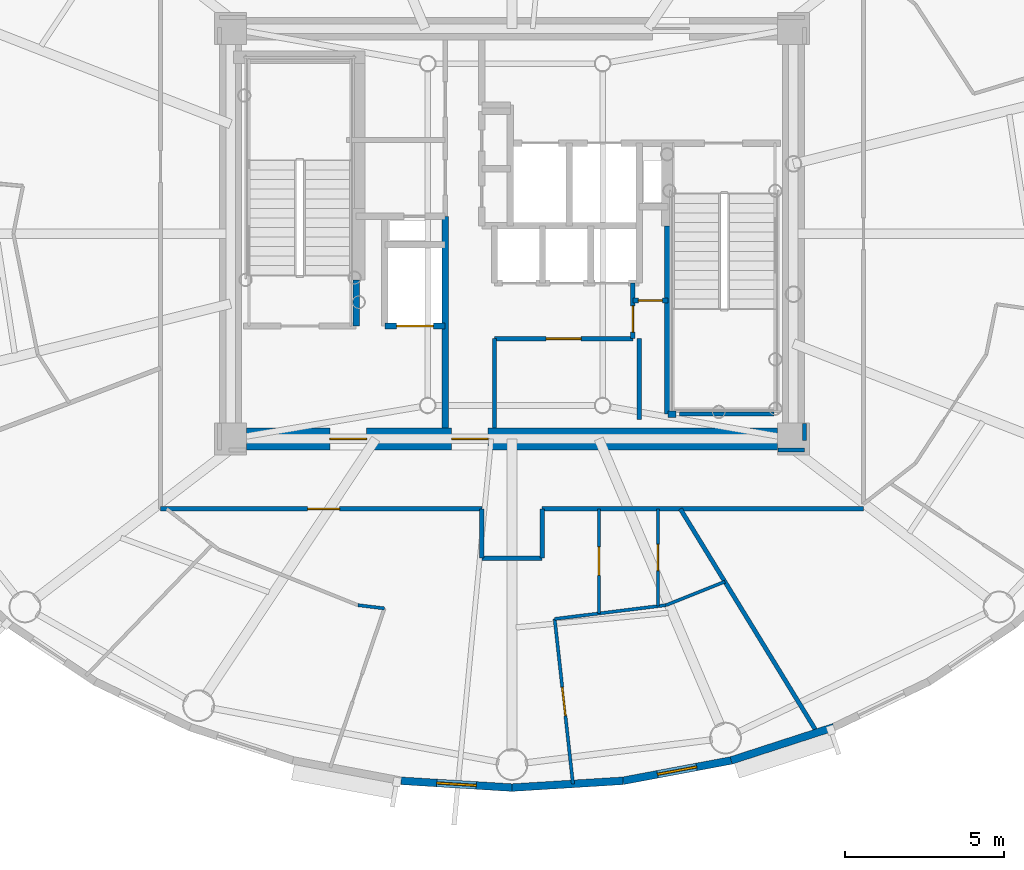
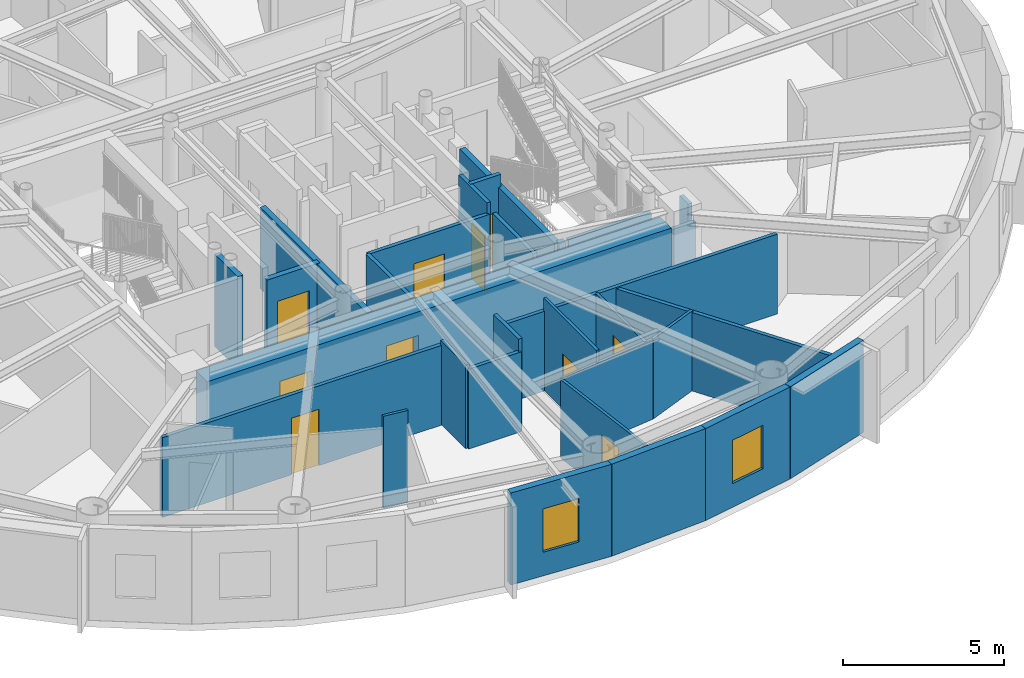
# One storey, part 6 of 17: 30 walls, 10 doors, 2 windows, 12 openings.
"""IFC4 building model written with IfcOpenShell, lengths in metres."""

import ifcopenshell
import ifcopenshell.guid

model = None  # the IFC model being written
_history = None  # IfcOwnerHistory: only IFC2X3 demands one
_inside = {}  # id of a spatial element -> (the spatial element, [elements in it])
_under = {}  # id of a project, library or spatial element -> (it, [spatial elements below it])
_declared = {}  # id of a project -> (the project, [libraries it declares])
_typed = {}  # id of a type object -> (the type object, [elements of that type])
_made_of = {}  # id of a material, layer set ... -> (it, [elements and type objects made of it])


def new_model(schema):
    """Start an empty IFC model of exactly this schema.

    Asked for "IFC4X3", IfcOpenShell would pick the latest addendum, in which some entities
    have other attributes; the version numbers below select the first issue.
    IFC2X3 requires an IfcOwnerHistory on every rooted entity: one is made here for all.
    """
    global model, _history
    if schema == "IFC4X3":
        model = ifcopenshell.file(schema_version=(4, 3, 0, 0))
    else:
        model = ifcopenshell.file(schema=schema)
    _inside.clear()
    _under.clear()
    _declared.clear()
    _typed.clear()
    _made_of.clear()
    _history = None
    if model.schema == "IFC2X3":
        org = make("IfcOrganization", Name="unknown")
        user = make(
            "IfcPersonAndOrganization",
            ThePerson=make("IfcPerson", FamilyName="unknown"),
            TheOrganization=org,
        )
        app = make(
            "IfcApplication",
            ApplicationDeveloper=org,
            Version="unknown",
            ApplicationFullName="unknown",
            ApplicationIdentifier="unknown",
        )
        _history = make(
            "IfcOwnerHistory",
            OwningUser=user,
            OwningApplication=app,
            ChangeAction="ADDED",
            CreationDate=0,
        )
    return model


def make(cls, **values):
    """One entity of the class cls with the attributes given. An attribute that is None is left unset."""
    return model.create_entity(
        cls, **{name: value for name, value in values.items() if value is not None}
    )


def rooted(cls, **values):
    """An entity with a GlobalId (a new one), such as an element, a storey or a relation."""
    return make(cls, GlobalId=ifcopenshell.guid.new(), OwnerHistory=_history, **values)


def si_unit(unit_type, name, prefix=None):
    """IfcSIUnit, for example si_unit("LENGTHUNIT", "METRE", prefix="MILLI")."""
    return make("IfcSIUnit", UnitType=unit_type, Prefix=prefix, Name=name)


def assignment(units):
    """IfcUnitAssignment: the units of a project."""
    return None if units is None else make("IfcUnitAssignment", Units=units)


def point(xyz):
    """IfcCartesianPoint."""
    return None if xyz is None else make("IfcCartesianPoint", Coordinates=xyz)


def direction(xyz):
    """IfcDirection."""
    return None if xyz is None else make("IfcDirection", DirectionRatios=xyz)


def frame(location, z_axis=None, x_axis=None):
    """IfcAxis2Placement3D, a coordinate frame: its origin and axes. An axis left out is left unset."""
    return make(
        "IfcAxis2Placement3D",
        Location=point(location),
        Axis=direction(z_axis),
        RefDirection=direction(x_axis),
    )


def frame_2d(location, x_axis=None):
    """IfcAxis2Placement2D, a coordinate frame in the plane: its origin and x axis."""
    return make(
        "IfcAxis2Placement2D", Location=point(location), RefDirection=direction(x_axis)
    )


def origin():
    """The frame at (0, 0, 0) with its axes left unset."""
    return frame((0.0, 0.0, 0.0))


def origin_2d():
    """The frame at (0, 0) in the plane with its x axis left unset."""
    return frame_2d((0.0, 0.0))


def place(relative_to, where):
    """IfcLocalPlacement: puts the frame where relative to a parent placement (None: the world)."""
    return make(
        "IfcLocalPlacement", PlacementRelTo=relative_to, RelativePlacement=where
    )


def context(
    kind, dimensions, precision=None, world=None, true_north=None, identifier=None
):
    """IfcGeometricRepresentationContext, for example the 3D "Model" context."""
    return make(
        "IfcGeometricRepresentationContext",
        ContextIdentifier=identifier,
        ContextType=kind,
        CoordinateSpaceDimension=dimensions,
        Precision=precision,
        WorldCoordinateSystem=world,
        TrueNorth=true_north,
    )


def subcontext(parent, identifier, kind, view, scale=None):
    """IfcGeometricRepresentationSubContext, for example "Body" below "Model"."""
    return make(
        "IfcGeometricRepresentationSubContext",
        ContextIdentifier=identifier,
        ContextType=kind,
        ParentContext=parent,
        TargetScale=scale,
        TargetView=view,
    )


def project(units=None, contexts=None):
    """IfcProject with its units and contexts."""
    return rooted(
        "IfcProject",
        Name="project",
        RepresentationContexts=contexts,
        UnitsInContext=assignment(units),
    )


def spatial(cls, under=None, at=None, **own):
    """A site, building, storey or space (cls), placed at a placement, below another one or the project."""
    s = rooted(cls, ObjectPlacement=at, **own)
    if under is not None:
        _under.setdefault(under.id(), (under, []))[1].append(s)
    return s


def profile(cls, at=None, kind="AREA", **sizes):
    """A parametric profile (cls). Its sizes go by their IFC names, for example OverallWidth=200.0."""
    return make(cls, ProfileType=kind, Position=at, **sizes)


def rectangle(**sizes):
    """IfcRectangleProfileDef."""
    return profile("IfcRectangleProfileDef", **sizes)


def extrude(swept, where, along, depth):
    """IfcExtrudedAreaSolid: the profile swept, set in the frame where, extruded along a direction by depth."""
    return make(
        "IfcExtrudedAreaSolid",
        SweptArea=swept,
        Position=where,
        ExtrudedDirection=direction(along),
        Depth=depth,
    )


def shape(context_of_items, identifier, shape_type, items):
    """IfcShapeRepresentation: the items that make up one representation, for example the "Body"."""
    return make(
        "IfcShapeRepresentation",
        ContextOfItems=context_of_items,
        RepresentationIdentifier=identifier,
        RepresentationType=shape_type,
        Items=items,
    )


def source(mapping_origin, context_of_items, identifier, shape_type, items):
    """IfcRepresentationMap: a shape defined once, which mapped items show again and again."""
    return make(
        "IfcRepresentationMap",
        MappingOrigin=mapping_origin,
        MappedRepresentation=shape(context_of_items, identifier, shape_type, items),
    )


def transform(
    local_origin,
    x_axis=None,
    y_axis=None,
    z_axis=None,
    scale=None,
    scale2=None,
    scale3=None,
    uniform=True,
):
    """IfcCartesianTransformationOperator3D, or its non-uniform kind. x_axis, y_axis, z_axis: its Axis1, 2, 3."""
    if uniform:
        return make(
            "IfcCartesianTransformationOperator3D",
            Axis1=direction(x_axis),
            Axis2=direction(y_axis),
            LocalOrigin=point(local_origin),
            Scale=scale,
            Axis3=direction(z_axis),
        )
    return make(
        "IfcCartesianTransformationOperator3DnonUniform",
        Axis1=direction(x_axis),
        Axis2=direction(y_axis),
        LocalOrigin=point(local_origin),
        Scale=scale,
        Axis3=direction(z_axis),
        Scale2=scale2,
        Scale3=scale3,
    )


def mapped(mapping_source, mapping_target):
    """IfcMappedItem: shows the shape of a source again, moved by a transform."""
    return make(
        "IfcMappedItem", MappingSource=mapping_source, MappingTarget=mapping_target
    )


def material(Name=None, Category=None):
    """IfcMaterial."""
    return make("IfcMaterial", Name=Name, Category=Category)


def layer(
    of_material, thickness, ventilated=None, Name=None, Category=None, Priority=None
):
    """IfcMaterialLayer: one layer of a wall or slab, of a material (None: an air gap)."""
    return make(
        "IfcMaterialLayer",
        Material=of_material,
        LayerThickness=thickness,
        IsVentilated=ventilated,
        Name=Name,
        Category=Category,
        Priority=Priority,
    )


def layer_set(layers, Name=None):
    """IfcMaterialLayerSet."""
    return make("IfcMaterialLayerSet", MaterialLayers=layers, LayerSetName=Name)


def made_of(thing, what):
    """Note that an element or type object is made of a material, layer set ...; save() writes the relation."""
    if what is not None:
        _made_of.setdefault(what.id(), (what, []))[1].append(thing)
    return thing


def type_object(cls, material=None, **own):
    """A type object (cls), such as IfcWallType, which elements share."""
    return made_of(rooted(cls, **own), material)


def element(
    cls,
    number,
    at=None,
    inside=None,
    cuts=None,
    type_object=None,
    material=None,
    context=None,
    identifier="Body",
    shape_type=None,
    held_by="IfcProductDefinitionShape",
    body=None,
    shapes=None,
    **own,
):
    """One element of the class cls, such as IfcWall. Its Tag is "e" and its number.

    at: its placement. inside: the storey or other place that contains it. cuts: it is an
    opening in that element (IfcRelVoidsElement). A single representation is given by context,
    identifier, shape_type and body (its items); several are given by shapes. held_by: the class
    of the entity that holds the representations. save() writes the other relations.
    """
    e = rooted(cls, Tag="e%d" % number, ObjectPlacement=at, **own)
    if body is not None:
        shapes = [shape(context, identifier, shape_type, body)]
    if shapes is not None:
        e.Representation = make(held_by, Representations=shapes)
    if inside is not None:
        _inside.setdefault(inside.id(), (inside, []))[1].append(e)
    if cuts is not None:
        rooted(
            "IfcRelVoidsElement", RelatingBuildingElement=cuts, RelatedOpeningElement=e
        )
    if type_object is not None:
        _typed.setdefault(type_object.id(), (type_object, []))[1].append(e)
    return made_of(e, material)


def fill(opening, filler):
    """IfcRelFillsElement: the door or window that sits in an opening."""
    return rooted(
        "IfcRelFillsElement",
        RelatingOpeningElement=opening,
        RelatedBuildingElement=filler,
    )


def aggregate(whole, parts):
    """IfcRelAggregates: a whole, such as a stair, and the parts it consists of."""
    return rooted("IfcRelAggregates", RelatingObject=whole, RelatedObjects=parts)


def save(model, path):
    """Write the relations noted so far, then the file.

    IfcRelAggregates (storeys below a building ...), IfcRelContainedInSpatialStructure (elements
    in a storey), IfcRelDefinesByType, IfcRelAssociatesMaterial and IfcRelDeclares: one each for
    every whole, place, type object, material and project.
    """
    for whole, parts in _under.values():
        aggregate(whole, parts)
    for where, things in _inside.values():
        rooted(
            "IfcRelContainedInSpatialStructure",
            RelatedElements=things,
            RelatingStructure=where,
        )
    for kind, things in _typed.values():
        rooted("IfcRelDefinesByType", RelatedObjects=things, RelatingType=kind)
    for what, things in _made_of.values():
        rooted("IfcRelAssociatesMaterial", RelatedObjects=things, RelatingMaterial=what)
    for by, libraries in _declared.values():
        rooted("IfcRelDeclares", RelatingContext=by, RelatedDefinitions=libraries)
    model.write(path)


model = new_model("IFC4")

# Units and contexts
model_context = context("Model", 3, precision=1e-05, world=origin(), true_north=direction((0.0, 1.0)))
body_context = subcontext(model_context, "Body", "Model", "MODEL_VIEW")
ifc_project = project(units=[si_unit("LENGTHUNIT", "METRE"), si_unit("AREAUNIT", "SQUARE_METRE"), si_unit("VOLUMEUNIT", "CUBIC_METRE"), si_unit("PLANEANGLEUNIT", "RADIAN"), si_unit("MASSUNIT", "GRAM", prefix="KILO")], contexts=[model_context])

# Site, building, storey
site_placement = place(None, origin())
site = spatial("IfcSite", under=ifc_project, at=site_placement, CompositionType="ELEMENT")
building_placement = place(site_placement, origin())
building = spatial("IfcBuilding", under=site, at=building_placement, Name="Linh Dai School and Residence Tower", CompositionType="ELEMENT")
storey_placement = place(building_placement, frame((0.0, 0.0, 284.25)))
storey = spatial("IfcBuildingStorey", under=building, at=storey_placement, Name="L70", CompositionType="ELEMENT", Elevation=284.25)

# Wall, opening, window
ifc_material_1 = material(Name="Precast Concrete B45 (C35/45)", Category="concrete")
ifc_layer_1 = layer(ifc_material_1, 0.239990234375)
ifc_layer_set_1 = layer_set([ifc_layer_1], Name="Precast Concrete B45 (C35/45)")
wall_type_1 = type_object("IfcWallType", Name="EW-TC-240", PredefinedType="SOLIDWALL", material=ifc_layer_set_1)
wall_1_placement = place(storey_placement, frame((36.0, 9.5849609375, 0.0), z_axis=(0.0, 0.0, 1.0), x_axis=(-0.998104946479, 0.061534671648, 0.0)))
wall_1 = element("IfcWall", 1, at=wall_1_placement, inside=storey, type_object=wall_type_1, Name="L70 Terracotta Exterior Wall 30", PredefinedType="SOLIDWALL", context=body_context, shape_type="SweptSolid", body=[
    extrude(rectangle(XDim=3.495361328125, YDim=0.239990234375, at=frame_2d((1.74755859375, 0.0))), origin(), (0.0, 0.0, 1.0), 3.5),
])
opening_1_placement = place(wall_1_placement, frame((1.122802734375, 0.0, 0.89990234375)))
opening_1 = element("IfcOpeningElement", 2, at=opening_1_placement, cuts=wall_1, Name="Opening W3", PredefinedType="OPENING", context=body_context, shape_type="SweptSolid", body=[
    extrude(rectangle(XDim=1.25, YDim=1.64990234375, at=origin_2d()), frame((0.625, 0.1298828125, 0.824951171875), z_axis=(0.0, -1.0, 0.0), x_axis=(1.0, 0.0, 0.0)), (0.0, 0.0, 1.0), 0.260009765625),
])
ifc_material_2 = material(Name="Double Low-E Insulated Glazing", Category="glass")
window_type = type_object("IfcWindowType", Name="WN-RES-1250x1650", PartitioningType="SINGLE_PANEL", PredefinedType="WINDOW", material=ifc_material_2)
shared_shape_1 = source(origin(), body_context, "Body", "SweptSolid", [
    extrude(rectangle(XDim=1.25, YDim=1.64990234375, at=origin_2d()), frame((0.625, 0.030029296875, 0.824951171875), z_axis=(0.0, -1.0, 0.0), x_axis=(1.0, 0.0, 0.0)), (0.0, 0.0, 1.0), 0.06005859375),
])
window_1_placement = place(opening_1_placement, origin())
window_1 = element("IfcWindow", 3, at=window_1_placement, inside=storey, type_object=window_type, Name="L70 Dwelling Window U7003-LIV", OverallHeight=1.64990234375, OverallWidth=1.25, PartitioningType="SINGLE_PANEL", PredefinedType="WINDOW", context=body_context, shape_type="MappedRepresentation", body=[
    mapped(shared_shape_1, transform((0.0, 0.0, 0.0), x_axis=(1.0, 0.0, 0.0), y_axis=(0.0, 1.0, 0.0), z_axis=(0.0, 0.0, 1.0), scale=1.0)),
])
fill(opening_1, window_1)

# Wall
wall_2_placement = place(storey_placement, frame((39.48876953125, 9.800048828125, 0.0), z_axis=(0.0, 0.0, 1.0), x_axis=(-0.998104946479, -0.061534671648, 0.0)))
element("IfcWall", 4, at=wall_2_placement, inside=storey, type_object=wall_type_1, Name="L70 Terracotta Exterior Wall 31", PredefinedType="SOLIDWALL", context=body_context, shape_type="SweptSolid", body=[
    extrude(rectangle(XDim=3.495361328125, YDim=0.239990234375, at=frame_2d((1.74755859375, 0.0))), origin(), (0.0, 0.0, 1.0), 3.5),
])

# Wall, opening, window
wall_3_placement = place(storey_placement, frame((42.89111328125, 10.439697265625, 0.0), z_axis=(0.0, 0.0, 1.0), x_axis=(-0.982782655757, -0.184765395959, 0.0)))
wall_3 = element("IfcWall", 5, at=wall_3_placement, inside=storey, type_object=wall_type_1, Name="L70 Terracotta Exterior Wall 32", PredefinedType="SOLIDWALL", context=body_context, shape_type="SweptSolid", body=[
    extrude(rectangle(XDim=3.4619140625, YDim=0.239990234375, at=frame_2d((1.73095703125, 0.0))), origin(), (0.0, 0.0, 1.0), 3.5),
])
opening_2_placement = place(wall_3_placement, frame((1.10595703125, 0.0, 0.89990234375)))
opening_2 = element("IfcOpeningElement", 6, at=opening_2_placement, cuts=wall_3, Name="Opening W3", PredefinedType="OPENING", context=body_context, shape_type="SweptSolid", body=[
    extrude(rectangle(XDim=1.25, YDim=1.64990234375, at=origin_2d()), frame((0.625, 0.1298828125, 0.824951171875), z_axis=(0.0, -1.0, 0.0), x_axis=(1.0, 0.0, 0.0)), (0.0, 0.0, 1.0), 0.260009765625),
])
window_2_placement = place(opening_2_placement, origin())
window_2 = element("IfcWindow", 7, at=window_2_placement, inside=storey, type_object=window_type, Name="L70 Dwelling Window U7003-BD3", OverallHeight=1.64990234375, OverallWidth=1.25, PartitioningType="SINGLE_PANEL", PredefinedType="WINDOW", context=body_context, shape_type="MappedRepresentation", body=[
    mapped(shared_shape_1, transform((0.0, 0.0, 0.0), x_axis=(1.0, 0.0, 0.0), y_axis=(0.0, 1.0, 0.0), z_axis=(0.0, 0.0, 1.0), scale=1.0)),
])
fill(opening_2, window_2)

# Wall
wall_4_placement = place(storey_placement, frame((46.123046875, 11.48779296875, 0.0), z_axis=(0.0, 0.0, 1.0), x_axis=(-0.95123136723, -0.308478339592, 0.0)))
element("IfcWall", 8, at=wall_4_placement, inside=storey, type_object=wall_type_1, Name="L70 Terracotta Exterior Wall 33", PredefinedType="SOLIDWALL", context=body_context, shape_type="SweptSolid", body=[
    extrude(rectangle(XDim=3.397705078125, YDim=0.239990234375, at=frame_2d((1.69873046875, 0.0))), origin(), (0.0, 0.0, 1.0), 3.5),
])

# Wall, opening, door
ifc_material_3 = material(Name="Autoclaved Aerated Concrete Blockwork", Category="masonry")
ifc_layer_2 = layer(ifc_material_3, 0.135009765625)
ifc_layer_set_2 = layer_set([ifc_layer_2], Name="Autoclaved Aerated Concrete Blockwork")
wall_type_2 = type_object("IfcWallType", Name="IW-CORR-135-EI90", PredefinedType="PARTITIONING", material=ifc_layer_set_2)
wall_5_placement = place(storey_placement, frame((24.949951171875, 18.35009765625, 0.0), z_axis=(0.0, 0.0, 1.0), x_axis=(1.0, 0.0, 0.0)))
wall_5 = element("IfcWall", 9, at=wall_5_placement, inside=storey, type_object=wall_type_2, Name="L70 Interior Partition Wall 012", PredefinedType="PARTITIONING", context=body_context, shape_type="SweptSolid", body=[
    extrude(rectangle(XDim=10.10009765625, YDim=0.135009765625, at=frame_2d((5.050048828125, 0.0))), origin(), (0.0, 0.0, 1.0), 3.034912109375),
])
opening_3_placement = place(wall_5_placement, frame((4.62744140625, 0.0, 0.0)))
opening_3 = element("IfcOpeningElement", 10, at=opening_3_placement, cuts=wall_5, Name="Opening D03", PredefinedType="OPENING", context=body_context, shape_type="SweptSolid", body=[
    extrude(rectangle(XDim=1.0, YDim=2.14990234375, at=origin_2d()), frame((0.5, 0.07763671875, 1.074951171875), z_axis=(0.0, -1.0, 0.0), x_axis=(1.0, 0.0, 0.0)), (0.0, 0.0, 1.0), 0.155029296875),
])
ifc_material_4 = material(Name="Fire-Rated Solid Timber Entrance Door", Category="wood")
door_type_1 = type_object("IfcDoorType", Name="DR-FLAT-1000x2150-FD60S", OperationType="NOTDEFINED", PredefinedType="DOOR", material=ifc_material_4)
shared_shape_2 = source(origin(), body_context, "Body", "SweptSolid", [
    extrude(rectangle(XDim=1.0, YDim=2.14990234375, at=origin_2d()), frame((0.5, 0.02490234375, 1.074951171875), z_axis=(0.0, -1.0, 0.0), x_axis=(1.0, 0.0, 0.0)), (0.0, 0.0, 1.0), 0.050048828125),
])
door_1_placement = place(opening_3_placement, origin())
door_1 = element("IfcDoor", 11, at=door_1_placement, inside=storey, type_object=door_type_1, Name="L70 U7003 Apartment Entrance Door", OperationType="SINGLE_SWING_RIGHT", OverallHeight=2.14990234375, OverallWidth=1.0, PredefinedType="DOOR", context=body_context, shape_type="MappedRepresentation", body=[
    mapped(shared_shape_2, transform((0.0, 0.0, 0.0), x_axis=(1.0, 0.0, 0.0), y_axis=(0.0, 1.0, 0.0), z_axis=(0.0, 0.0, 1.0), scale=1.0)),
])
fill(opening_3, door_1)

# Walls
wall_6_placement = place(storey_placement, frame((35.050048828125, 16.800048828125, 0.0), z_axis=(0.0, 0.0, 1.0), x_axis=(0.0, 1.0, 0.0)))
element("IfcWall", 12, at=wall_6_placement, inside=storey, type_object=wall_type_2, Name="L70 Interior Partition Wall 033", PredefinedType="PARTITIONING", context=body_context, shape_type="SweptSolid", body=[
    extrude(rectangle(XDim=1.550048828125, YDim=0.135009765625, at=frame_2d((0.77490234375, 0.0))), origin(), (0.0, 0.0, 1.0), 3.18505859375),
])
wall_7_placement = place(storey_placement, frame((35.050048828125, 16.800048828125, 0.0), z_axis=(0.0, 0.0, 1.0), x_axis=(1.0, 0.0, 0.0)))
element("IfcWall", 13, at=wall_7_placement, inside=storey, type_object=wall_type_2, Name="L70 Interior Partition Wall 034", PredefinedType="PARTITIONING", context=body_context, shape_type="SweptSolid", body=[
    extrude(rectangle(XDim=1.89990234375, YDim=0.135009765625, at=frame_2d((0.949951171875, 0.0))), origin(), (0.0, 0.0, 1.0), 3.034912109375),
])
wall_8_placement = place(storey_placement, frame((35.449951171875, 20.89990234375, 0.0), z_axis=(0.0, 0.0, 1.0), x_axis=(0.0, 1.0, 0.0)))
element("IfcWall", 14, at=wall_8_placement, inside=storey, type_object=wall_type_2, Name="L70 Interior Partition Wall 043", PredefinedType="PARTITIONING", context=body_context, shape_type="SweptSolid", body=[
    extrude(rectangle(XDim=2.800048828125, YDim=0.135009765625, at=frame_2d((1.39990234375, 0.0))), origin(), (0.0, 0.0, 1.0), 3.0849609375),
])

# Wall, opening, door
wall_9_placement = place(storey_placement, frame((35.449951171875, 23.699951171875, 0.0), z_axis=(0.0, 0.0, 1.0), x_axis=(1.0, 0.0, 0.0)))
wall_9 = element("IfcWall", 15, at=wall_9_placement, inside=storey, type_object=wall_type_2, Name="L70 Interior Partition Wall 044", PredefinedType="PARTITIONING", context=body_context, shape_type="SweptSolid", body=[
    extrude(rectangle(XDim=4.35009765625, YDim=0.135009765625, at=frame_2d((2.175048828125, 0.0))), origin(), (0.0, 0.0, 1.0), 3.0849609375),
])
opening_4_placement = place(wall_9_placement, frame((1.625, 0.0, 0.0)))
opening_4 = element("IfcOpeningElement", 16, at=opening_4_placement, cuts=wall_9, Name="Opening D07", PredefinedType="OPENING", context=body_context, shape_type="SweptSolid", body=[
    extrude(rectangle(XDim=1.10009765625, YDim=2.14990234375, at=origin_2d()), frame((0.550048828125, 0.07763671875, 1.074951171875), z_axis=(0.0, -1.0, 0.0), x_axis=(1.0, 0.0, 0.0)), (0.0, 0.0, 1.0), 0.155029296875),
])
ifc_material_5 = material(Name="Fire-Rated Louvred Steel Plant Door", Category="steel")
door_type_2 = type_object("IfcDoorType", Name="DR-PLT-1100x2150-FD60S", OperationType="NOTDEFINED", PredefinedType="DOOR", material=ifc_material_5)
shared_shape_3 = source(origin(), body_context, "Body", "SweptSolid", [
    extrude(rectangle(XDim=1.10009765625, YDim=2.14990234375, at=origin_2d()), frame((0.550048828125, 0.02490234375, 1.074951171875), z_axis=(0.0, -1.0, 0.0), x_axis=(1.0, 0.0, 0.0)), (0.0, 0.0, 1.0), 0.050048828125),
])
door_2_placement = place(opening_4_placement, origin())
door_2 = element("IfcDoor", 17, at=door_2_placement, inside=storey, type_object=door_type_2, Name="L70 Tenant Metering and BMS Room Door", OperationType="SINGLE_SWING_RIGHT", OverallHeight=2.14990234375, OverallWidth=1.10009765625, PredefinedType="DOOR", context=body_context, shape_type="MappedRepresentation", body=[
    mapped(shared_shape_3, transform((0.0, 0.0, 0.0), x_axis=(1.0, 0.0, 0.0), y_axis=(0.0, 1.0, 0.0), z_axis=(0.0, 0.0, 1.0), scale=1.0)),
])
fill(opening_4, door_2)

# Walls
wall_10_placement = place(storey_placement, frame((36.949951171875, 16.800048828125, 0.0), z_axis=(0.0, 0.0, 1.0), x_axis=(0.0, 1.0, 0.0)))
element("IfcWall", 18, at=wall_10_placement, inside=storey, type_object=wall_type_2, Name="L70 Interior Partition Wall 049", PredefinedType="PARTITIONING", context=body_context, shape_type="SweptSolid", body=[
    extrude(rectangle(XDim=1.550048828125, YDim=0.135009765625, at=frame_2d((0.77490234375, 0.0))), origin(), (0.0, 0.0, 1.0), 3.5),
])
wall_11_placement = place(storey_placement, frame((36.949951171875, 18.35009765625, 0.0), z_axis=(0.0, 0.0, 1.0), x_axis=(1.0, 0.0, 0.0)))
element("IfcWall", 19, at=wall_11_placement, inside=storey, type_object=wall_type_2, Name="L70 Interior Partition Wall 050", PredefinedType="PARTITIONING", context=body_context, shape_type="SweptSolid", body=[
    extrude(rectangle(XDim=10.10009765625, YDim=0.135009765625, at=frame_2d((5.050048828125, 0.0))), origin(), (0.0, 0.0, 1.0), 3.034912109375),
])

# Wall, opening, door
wall_12_placement = place(storey_placement, frame((39.800048828125, 23.699951171875, 0.0), z_axis=(0.0, 0.0, 1.0), x_axis=(0.0, 1.0, 0.0)))
wall_12 = element("IfcWall", 20, at=wall_12_placement, inside=storey, type_object=wall_type_2, Name="L70 Interior Partition Wall 059", PredefinedType="PARTITIONING", context=body_context, shape_type="SweptSolid", body=[
    extrude(rectangle(XDim=1.75, YDim=0.135009765625, at=frame_2d((0.875, 0.0))), origin(), (0.0, 0.0, 1.0), 3.5),
])
opening_5_placement = place(wall_12_placement, frame((0.2099609375, 0.0, 0.0)))
opening_5 = element("IfcOpeningElement", 21, at=opening_5_placement, cuts=wall_12, Name="Opening D06", PredefinedType="OPENING", context=body_context, shape_type="SweptSolid", body=[
    extrude(rectangle(XDim=0.820068359375, YDim=2.10009765625, at=origin_2d()), frame((0.41015625, 0.07763671875, 1.050048828125), z_axis=(0.0, -1.0, 0.0), x_axis=(1.0, 0.0, 0.0)), (0.0, 0.0, 1.0), 0.155029296875),
])
ifc_material_6 = material(Name="Moisture-Resistant Timber Bathroom Door", Category="wood")
door_type_3 = type_object("IfcDoorType", Name="DR-WET-820x2100", OperationType="NOTDEFINED", PredefinedType="DOOR", material=ifc_material_6)
shared_shape_4 = source(origin(), body_context, "Body", "SweptSolid", [
    extrude(rectangle(XDim=0.820068359375, YDim=2.10009765625, at=origin_2d()), frame((0.41015625, 0.02490234375, 1.050048828125), z_axis=(0.0, -1.0, 0.0), x_axis=(1.0, 0.0, 0.0)), (0.0, 0.0, 1.0), 0.050048828125),
])
door_3_placement = place(opening_5_placement, origin())
door_3 = element("IfcDoor", 22, at=door_3_placement, inside=storey, type_object=door_type_3, Name="L70 SE Metering Closet Door", OperationType="SINGLE_SWING_LEFT", OverallHeight=2.10009765625, OverallWidth=0.820068359375, PredefinedType="DOOR", context=body_context, shape_type="MappedRepresentation", body=[
    mapped(shared_shape_4, transform((0.0, 0.0, 0.0), x_axis=(1.0, 0.0, 0.0), y_axis=(0.0, 1.0, 0.0), z_axis=(0.0, 0.0, 1.0), scale=1.0)),
])
fill(opening_5, door_3)

# Walls
wall_13_placement = place(storey_placement, frame((41.292236328125, 18.35009765625, 0.0), z_axis=(0.0, 0.0, 1.0), x_axis=(0.521891606098, -0.853011812043, 0.0)))
element("IfcWall", 23, at=wall_13_placement, inside=storey, type_object=wall_type_2, Name="L70 Interior Partition Wall 070", PredefinedType="PARTITIONING", context=body_context, shape_type="SweptSolid", body=[
    extrude(rectangle(XDim=8.25048828125, YDim=0.135009765625, at=frame_2d((4.125244140625, 0.0))), origin(), (0.0, 0.0, 1.0), 2.985107421875),
])
wall_14_placement = place(storey_placement, frame((44.239990234375, 21.330078125, 0.0), z_axis=(0.0, 0.0, 1.0), x_axis=(-1.0, 0.0, 0.0)))
element("IfcWall", 24, at=wall_14_placement, inside=storey, type_object=wall_type_2, Name="L70 Interior Partition Wall 084", PredefinedType="PARTITIONING", context=body_context, shape_type="SweptSolid", body=[
    extrude(rectangle(XDim=2.97998046875, YDim=0.135009765625, at=frame_2d((1.489990234375, 0.0))), origin(), (0.0, 0.0, 1.0), 3.034912109375),
])
wall_15_placement = place(storey_placement, frame((40.0, 23.699951171875, 0.0), z_axis=(0.0, 0.0, 1.0), x_axis=(0.0, -1.0, 0.0)))
element("IfcWall", 25, at=wall_15_placement, inside=storey, type_object=wall_type_2, Name="L70 Interior Partition Wall 085", PredefinedType="PARTITIONING", context=body_context, shape_type="SweptSolid", body=[
    extrude(rectangle(XDim=2.5400390625, YDim=0.135009765625, at=frame_2d((1.27001953125, 0.0))), origin(), (0.0, 0.0, 1.0), 3.034912109375),
])
wall_16_placement = place(storey_placement, frame((44.360107421875, 20.199951171875, 0.0), z_axis=(0.0, 0.0, 1.0), x_axis=(1.0, 0.0, 0.0)))
element("IfcWall", 26, at=wall_16_placement, inside=storey, type_object=wall_type_2, Name="L70 Interior Partition Wall 091", PredefinedType="PARTITIONING", context=body_context, shape_type="SweptSolid", body=[
    extrude(rectangle(XDim=0.83984375, YDim=0.135009765625, at=frame_2d((0.419921875, 0.0))), origin(), (0.0, 0.0, 1.0), 3.034912109375),
])
wall_17_placement = place(storey_placement, frame((45.199951171875, 20.507568359375, 0.0), z_axis=(0.0, 0.0, 1.0), x_axis=(0.0, 1.0, 0.0)))
element("IfcWall", 27, at=wall_17_placement, inside=storey, type_object=wall_type_2, Name="L70 Interior Partition Wall 092", PredefinedType="PARTITIONING", context=body_context, shape_type="SweptSolid", body=[
    extrude(rectangle(XDim=0.532470703125, YDim=0.135009765625, at=frame_2d((0.26611328125, 0.0))), origin(), (0.0, 0.0, 1.0), 3.5),
])

# Wall, opening, door
ifc_layer_3 = layer(ifc_material_3, 0.14990234375)
ifc_layer_set_3 = layer_set([ifc_layer_3], Name="Autoclaved Aerated Concrete Blockwork")
wall_type_3 = type_object("IfcWallType", Name="IW-SCH-150-EI60", PredefinedType="PARTITIONING", material=ifc_layer_set_3)
wall_18_placement = place(storey_placement, frame((39.800048828125, 24.89990234375, 0.0), z_axis=(0.0, 0.0, 1.0), x_axis=(1.0, 0.0, 0.0)))
wall_18 = element("IfcWall", 28, at=wall_18_placement, inside=storey, type_object=wall_type_3, Name="L70 Interior Partition Wall 060", PredefinedType="PARTITIONING", context=body_context, shape_type="SweptSolid", body=[
    extrude(rectangle(XDim=1.099853515625, YDim=0.14990234375, at=frame_2d((0.5498046875, 0.0))), origin(), (0.0, 0.0, 1.0), 3.5),
])
opening_6_placement = place(wall_18_placement, frame((0.169921875, 0.0, 0.0)))
opening_6 = element("IfcOpeningElement", 29, at=opening_6_placement, cuts=wall_18, Name="Opening D08", PredefinedType="OPENING", context=body_context, shape_type="SweptSolid", body=[
    extrude(rectangle(XDim=0.760009765625, YDim=2.10009765625, at=origin_2d()), frame((0.3798828125, 0.0849609375, 1.050048828125), z_axis=(0.0, -1.0, 0.0), x_axis=(1.0, 0.0, 0.0)), (0.0, 0.0, 1.0), 0.169921875),
])
ifc_material_7 = material(Name="Engineered Timber Closet and Study Door", Category="wood")
door_type_4 = type_object("IfcDoorType", Name="DR-CMP-760x2100", OperationType="NOTDEFINED", PredefinedType="DOOR", material=ifc_material_7)
shared_shape_5 = source(origin(), body_context, "Body", "SweptSolid", [
    extrude(rectangle(XDim=0.760009765625, YDim=2.10009765625, at=origin_2d()), frame((0.3798828125, 0.02490234375, 1.050048828125), z_axis=(0.0, -1.0, 0.0), x_axis=(1.0, 0.0, 0.0)), (0.0, 0.0, 1.0), 0.050048828125),
])
door_4_placement = place(opening_6_placement, origin())
door_4 = element("IfcDoor", 30, at=door_4_placement, inside=storey, type_object=door_type_4, Name="L70 NE Cleaners Store Door", OperationType="SINGLE_SWING_RIGHT", OverallHeight=2.10009765625, OverallWidth=0.760009765625, PredefinedType="DOOR", context=body_context, shape_type="MappedRepresentation", body=[
    mapped(shared_shape_5, transform((0.0, 0.0, 0.0), x_axis=(1.0, 0.0, 0.0), y_axis=(0.0, 1.0, 0.0), z_axis=(0.0, 0.0, 1.0), scale=1.0)),
])
fill(opening_6, door_4)

# Wall
ifc_material_8 = material(Name="Concrete B45 (C35/45)", Category="concrete")
ifc_layer_4 = layer(ifc_material_8, 0.199951171875)
ifc_layer_set_4 = layer_set([ifc_layer_4], Name="Concrete B45 (C35/45)")
wall_type_4 = type_object("IfcWallType", Name="IW-SHAFT-200-EI120", PredefinedType="PARTITIONING", material=ifc_layer_set_4)
wall_19_placement = place(storey_placement, frame((31.10009765625, 24.10009765625, 0.0), z_axis=(0.0, 0.0, 1.0), x_axis=(0.0, 1.0, 0.0)))
element("IfcWall", 31, at=wall_19_placement, inside=storey, type_object=wall_type_4, Name="L70 Interior Partition Wall 021", PredefinedType="PARTITIONING", context=body_context, shape_type="SweptSolid", body=[
    extrude(rectangle(XDim=1.43994140625, YDim=0.199951171875, at=frame_2d((0.719970703125, 0.0))), origin(), (0.0, 0.0, 1.0), 3.5),
])

# Wall, opening, door
wall_20_placement = place(storey_placement, frame((32.0, 24.10009765625, 0.0), z_axis=(0.0, 0.0, 1.0), x_axis=(1.0, 0.0, 0.0)))
wall_20 = element("IfcWall", 32, at=wall_20_placement, inside=storey, type_object=wall_type_4, Name="L70 Interior Partition Wall 027", PredefinedType="PARTITIONING", context=body_context, shape_type="SweptSolid", body=[
    extrude(rectangle(XDim=1.89990234375, YDim=0.199951171875, at=frame_2d((0.949951171875, 0.0))), origin(), (0.0, 0.0, 1.0), 3.0849609375),
])
opening_7_placement = place(wall_20_placement, frame((0.375, 0.0, 0.0)))
opening_7 = element("IfcOpeningElement", 33, at=opening_7_placement, cuts=wall_20, Name="Opening LD-FF2", PredefinedType="OPENING", context=body_context, shape_type="SweptSolid", body=[
    extrude(rectangle(XDim=1.14990234375, YDim=2.14990234375, at=origin_2d()), frame((0.574951171875, 0.10986328125, 1.074951171875), z_axis=(0.0, -1.0, 0.0), x_axis=(1.0, 0.0, 0.0)), (0.0, 0.0, 1.0), 0.219970703125),
])
ifc_material_9 = material(Name="Fire-Rated Stainless Steel Firefighting Lift Door", Category="steel")
door_type_5 = type_object("IfcDoorType", Name="DR-LD-FF-1150x2150-FD120", OperationType="DOUBLE_DOOR_SLIDING", PredefinedType="USERDEFINED", material=ifc_material_9)
shared_shape_6 = source(origin(), body_context, "Body", "SweptSolid", [
    extrude(rectangle(XDim=1.14990234375, YDim=2.14990234375, at=origin_2d()), frame((0.574951171875, 0.02490234375, 1.074951171875), z_axis=(0.0, -1.0, 0.0), x_axis=(1.0, 0.0, 0.0)), (0.0, 0.0, 1.0), 0.050048828125),
])
door_5_placement = place(opening_7_placement, origin())
door_5 = element("IfcDoor", 34, at=door_5_placement, inside=storey, type_object=door_type_5, Name="L70 Lift FF2 Sliding Landing Door", ObjectType="LANDING DOOR", OperationType="DOUBLE_DOOR_SLIDING", OverallHeight=2.14990234375, OverallWidth=1.14990234375, PredefinedType="USERDEFINED", context=body_context, shape_type="MappedRepresentation", body=[
    mapped(shared_shape_6, transform((0.0, 0.0, 0.0), x_axis=(1.0, 0.0, 0.0), y_axis=(0.0, 1.0, 0.0), z_axis=(0.0, 0.0, 1.0), scale=1.0)),
])
fill(opening_7, door_5)

# Walls
wall_21_placement = place(storey_placement, frame((33.89990234375, 20.89990234375, 0.0), z_axis=(0.0, 0.0, 1.0), x_axis=(0.0, 1.0, 0.0)))
element("IfcWall", 35, at=wall_21_placement, inside=storey, type_object=wall_type_4, Name="L70 Interior Partition Wall 030", PredefinedType="PARTITIONING", context=body_context, shape_type="SweptSolid", body=[
    extrude(rectangle(XDim=6.650146484375, YDim=0.199951171875, at=frame_2d((3.3251953125, 0.0))), origin(), (0.0, 0.0, 1.0), 3.0849609375),
])
wall_22_placement = place(storey_placement, frame((40.89990234375, 21.330078125, 0.0), z_axis=(0.0, 0.0, 1.0), x_axis=(0.0, 1.0, 0.0)))
element("IfcWall", 36, at=wall_22_placement, inside=storey, type_object=wall_type_4, Name="L70 Interior Partition Wall 068", PredefinedType="PARTITIONING", context=body_context, shape_type="SweptSolid", body=[
    extrude(rectangle(XDim=5.909912109375, YDim=0.199951171875, at=frame_2d((2.955078125, 0.0))), origin(), (0.0, 0.0, 1.0), 3.034912109375),
])
wall_23_placement = place(storey_placement, frame((40.89990234375, 21.330078125, 0.0), z_axis=(0.0, 0.0, 1.0), x_axis=(1.0, 0.0, 0.0)))
element("IfcWall", 37, at=wall_23_placement, inside=storey, type_object=wall_type_4, Name="L70 Interior Partition Wall 069", PredefinedType="PARTITIONING", context=body_context, shape_type="SweptSolid", body=[
    extrude(rectangle(XDim=0.25, YDim=0.199951171875, at=frame_2d((0.125, 0.0))), origin(), (0.0, 0.0, 1.0), 3.034912109375),
])
ifc_material_10 = material(Name="Gypsum Plasterboard Acoustic Stud Partition", Category="masonry")
ifc_layer_5 = layer(ifc_material_10, 0.10009765625)
ifc_layer_set_5 = layer_set([ifc_layer_5], Name="Gypsum Plasterboard Acoustic Stud Partition")
wall_type_5 = type_object("IfcWallType", Name="IW-UNIT-100", PredefinedType="PARTITIONING", material=ifc_layer_set_5)
wall_24_placement = place(storey_placement, frame((31.154541015625, 15.322998046875, 0.0), z_axis=(0.0, 0.0, 1.0), x_axis=(0.992393849535, -0.123103401277, 0.0)))
element("IfcWall", 38, at=wall_24_placement, inside=storey, type_object=wall_type_5, Name="L70 Interior Partition Wall 023", PredefinedType="PARTITIONING", context=body_context, shape_type="SweptSolid", body=[
    extrude(rectangle(XDim=0.8388671875, YDim=0.10009765625, at=frame_2d((0.41943359375, 0.0))), origin(), (0.0, 0.0, 1.0), 3.5),
])

# Wall, opening, door
wall_25_placement = place(storey_placement, frame((37.34228515625, 14.888427734375, 0.0), z_axis=(0.0, 0.0, 1.0), x_axis=(0.110149295127, -0.993915053102, 0.0)))
wall_25 = element("IfcWall", 39, at=wall_25_placement, inside=storey, type_object=wall_type_5, Name="L70 Interior Partition Wall 054", PredefinedType="PARTITIONING", context=body_context, shape_type="SweptSolid", body=[
    extrude(rectangle(XDim=5.221923828125, YDim=0.10009765625, at=frame_2d((2.61083984375, 0.0))), origin(), (0.0, 0.0, 1.0), 2.985107421875),
])
opening_8_placement = place(wall_25_placement, frame((2.160888671875, 0.0, 0.0)))
opening_8 = element("IfcOpeningElement", 40, at=opening_8_placement, cuts=wall_25, Name="Opening D05", PredefinedType="OPENING", context=body_context, shape_type="SweptSolid", body=[
    extrude(rectangle(XDim=0.89990234375, YDim=2.10009765625, at=origin_2d()), frame((0.449951171875, 0.06005859375, 1.050048828125), z_axis=(0.0, -1.0, 0.0), x_axis=(1.0, 0.0, 0.0)), (0.0, 0.0, 1.0), 0.1201171875),
])
ifc_material_11 = material(Name="Engineered Timber Internal Door", Category="wood")
door_type_6 = type_object("IfcDoorType", Name="DR-INT-900x2100", OperationType="NOTDEFINED", PredefinedType="DOOR", material=ifc_material_11)
shared_shape_7 = source(origin(), body_context, "Body", "SweptSolid", [
    extrude(rectangle(XDim=0.89990234375, YDim=2.10009765625, at=origin_2d()), frame((0.449951171875, 0.02490234375, 1.050048828125), z_axis=(0.0, -1.0, 0.0), x_axis=(1.0, 0.0, 0.0)), (0.0, 0.0, 1.0), 0.050048828125),
])
door_6_placement = place(opening_8_placement, origin())
door_6 = element("IfcDoor", 41, at=door_6_placement, inside=storey, type_object=door_type_6, Name="L70 Apartment U7003 Bedroom 3 Door", OperationType="SINGLE_SWING_LEFT", OverallHeight=2.10009765625, OverallWidth=0.89990234375, PredefinedType="DOOR", context=body_context, shape_type="MappedRepresentation", body=[
    mapped(shared_shape_7, transform((0.0, 0.0, 0.0), x_axis=(1.0, 0.0, 0.0), y_axis=(0.0, 1.0, 0.0), z_axis=(0.0, 0.0, 1.0), scale=1.0)),
])
fill(opening_8, door_6)

# Wall
wall_26_placement = place(storey_placement, frame((37.34228515625, 14.888427734375, 0.0), z_axis=(0.0, 0.0, 1.0), x_axis=(0.992393420873, 0.123106856865, 0.0)))
element("IfcWall", 42, at=wall_26_placement, inside=storey, type_object=wall_type_5, Name="L70 Interior Partition Wall 055", PredefinedType="PARTITIONING", context=body_context, shape_type="SweptSolid", body=[
    extrude(rectangle(XDim=3.530029296875, YDim=0.10009765625, at=frame_2d((1.76513671875, 0.0))), origin(), (0.0, 0.0, 1.0), 3.034912109375),
])

# Wall, opening, door
wall_27_placement = place(storey_placement, frame((38.734375, 15.06103515625, 0.0), z_axis=(0.0, 0.0, 1.0), x_axis=(0.0, 1.0, 0.0)))
wall_27 = element("IfcWall", 43, at=wall_27_placement, inside=storey, type_object=wall_type_5, Name="L70 Interior Partition Wall 058", PredefinedType="PARTITIONING", context=body_context, shape_type="SweptSolid", body=[
    extrude(rectangle(XDim=3.2890625, YDim=0.10009765625, at=frame_2d((1.64453125, 0.0))), origin(), (0.0, 0.0, 1.0), 3.5),
])
opening_9_placement = place(wall_27_placement, frame((1.1943359375, 0.0, 0.0)))
opening_9 = element("IfcOpeningElement", 44, at=opening_9_placement, cuts=wall_27, Name="Opening D05", PredefinedType="OPENING", context=body_context, shape_type="SweptSolid", body=[
    extrude(rectangle(XDim=0.89990234375, YDim=2.10009765625, at=origin_2d()), frame((0.449951171875, 0.06005859375, 1.050048828125), z_axis=(0.0, -1.0, 0.0), x_axis=(1.0, 0.0, 0.0)), (0.0, 0.0, 1.0), 0.1201171875),
])
door_7_placement = place(opening_9_placement, origin())
door_7 = element("IfcDoor", 45, at=door_7_placement, inside=storey, type_object=door_type_6, Name="L70 Apartment U7003 Kitchen Door", OperationType="SINGLE_SWING_RIGHT", OverallHeight=2.10009765625, OverallWidth=0.89990234375, PredefinedType="DOOR", context=body_context, shape_type="MappedRepresentation", body=[
    mapped(shared_shape_7, transform((0.0, 0.0, 0.0), x_axis=(1.0, 0.0, 0.0), y_axis=(0.0, 1.0, 0.0), z_axis=(0.0, 0.0, 1.0), scale=1.0)),
])
fill(opening_9, door_7)

wall_28_placement = place(storey_placement, frame((40.58740234375, 15.291015625, 0.0), z_axis=(0.0, 0.0, 1.0), x_axis=(0.0, 1.0, 0.0)))
wall_28 = element("IfcWall", 46, at=wall_28_placement, inside=storey, type_object=wall_type_5, Name="L70 Interior Partition Wall 063", PredefinedType="PARTITIONING", context=body_context, shape_type="SweptSolid", body=[
    extrude(rectangle(XDim=3.05908203125, YDim=0.10009765625, at=frame_2d((1.529541015625, 0.0))), origin(), (0.0, 0.0, 1.0), 3.034912109375),
])
opening_10_placement = place(wall_28_placement, frame((1.119384765625, 0.0, 0.0)))
opening_10 = element("IfcOpeningElement", 47, at=opening_10_placement, cuts=wall_28, Name="Opening D06", PredefinedType="OPENING", context=body_context, shape_type="SweptSolid", body=[
    extrude(rectangle(XDim=0.820068359375, YDim=2.10009765625, at=origin_2d()), frame((0.41015625, 0.06005859375, 1.050048828125), z_axis=(0.0, -1.0, 0.0), x_axis=(1.0, 0.0, 0.0)), (0.0, 0.0, 1.0), 0.1201171875),
])
door_8_placement = place(opening_10_placement, origin())
door_8 = element("IfcDoor", 48, at=door_8_placement, inside=storey, type_object=door_type_3, Name="L70 Apartment U7003 Bathroom 1 Door", OperationType="SINGLE_SWING_LEFT", OverallHeight=2.10009765625, OverallWidth=0.820068359375, PredefinedType="DOOR", context=body_context, shape_type="MappedRepresentation", body=[
    mapped(shared_shape_4, transform((0.0, 0.0, 0.0), x_axis=(1.0, 0.0, 0.0), y_axis=(0.0, 1.0, 0.0), z_axis=(0.0, 0.0, 1.0), scale=1.0)),
])
fill(opening_10, door_8)

# Wall
wall_29_placement = place(storey_placement, frame((40.845458984375, 15.322998046875, 0.0), z_axis=(0.0, 0.0, 1.0), x_axis=(0.928797929692, 0.370586569913, 0.0)))
element("IfcWall", 49, at=wall_29_placement, inside=storey, type_object=wall_type_5, Name="L70 Interior Partition Wall 066", PredefinedType="PARTITIONING", context=body_context, shape_type="SweptSolid", body=[
    extrude(rectangle(XDim=1.989501953125, YDim=0.10009765625, at=frame_2d((0.99462890625, 0.0))), origin(), (0.0, 0.0, 1.0), 3.034912109375),
])

# Wall, openings, doors
ifc_layer_6 = layer(ifc_material_8, 0.699951171875)
ifc_layer_set_6 = layer_set([ifc_layer_6], Name="Concrete B45 (C35/45)")
wall_type_6 = type_object("IfcWallType", Name="WL-CORE700", PredefinedType="SHEAR", material=ifc_layer_set_6)
wall_30_placement = place(storey_placement, frame((44.35009765625, 20.550048828125, 0.0), z_axis=(0.0, 0.0, 1.0), x_axis=(-1.0, 0.0, 0.0)))
wall_30 = element("IfcWall", 50, at=wall_30_placement, inside=storey, type_object=wall_type_6, Name="L70 Central Core Shear Wall S", PredefinedType="SHEAR", context=body_context, shape_type="SweptSolid", body=[
    extrude(rectangle(XDim=16.7001953125, YDim=0.699951171875, at=frame_2d((8.35009765625, 0.0))), origin(), (0.0, 0.0, 1.0), 3.050048828125),
])
opening_11_placement = place(wall_30_placement, frame((12.925048828125, 0.0, 0.0)))
opening_11 = element("IfcOpeningElement", 51, at=opening_11_placement, cuts=wall_30, Name="Opening D02", PredefinedType="OPENING", context=body_context, shape_type="SweptSolid", body=[
    extrude(rectangle(XDim=1.14990234375, YDim=2.14990234375, at=origin_2d()), frame((0.574951171875, 0.35986328125, 1.074951171875), z_axis=(0.0, -1.0, 0.0), x_axis=(1.0, 0.0, 0.0)), (0.0, 0.0, 1.0), 0.719970703125),
])
opening_12_placement = place(wall_30_placement, frame((9.10009765625, 0.0, 0.0)))
opening_12 = element("IfcOpeningElement", 52, at=opening_12_placement, cuts=wall_30, Name="Opening D02", PredefinedType="OPENING", context=body_context, shape_type="SweptSolid", body=[
    extrude(rectangle(XDim=1.14990234375, YDim=2.14990234375, at=origin_2d()), frame((0.574951171875, 0.35986328125, 1.074951171875), z_axis=(0.0, -1.0, 0.0), x_axis=(1.0, 0.0, 0.0)), (0.0, 0.0, 1.0), 0.719970703125),
])
ifc_material_12 = material(Name="Fire-Rated Glazed Steel Lobby Door", Category="steel")
door_type_7 = type_object("IfcDoorType", Name="DR-LOBBY-1150x2150-FD90S", OperationType="NOTDEFINED", PredefinedType="DOOR", material=ifc_material_12)
shared_shape_8 = source(origin(), body_context, "Body", "SweptSolid", [
    extrude(rectangle(XDim=1.14990234375, YDim=2.14990234375, at=origin_2d()), frame((0.574951171875, 0.02490234375, 1.074951171875), z_axis=(0.0, -1.0, 0.0), x_axis=(1.0, 0.0, 0.0)), (0.0, 0.0, 1.0), 0.050048828125),
])
door_9_placement = place(opening_11_placement, origin())
door_9 = element("IfcDoor", 53, at=door_9_placement, inside=storey, type_object=door_type_7, Name="L70 Firefighting Lobby Door", OperationType="SINGLE_SWING_LEFT", OverallHeight=2.14990234375, OverallWidth=1.14990234375, PredefinedType="DOOR", context=body_context, shape_type="MappedRepresentation", body=[
    mapped(shared_shape_8, transform((0.0, 0.0, 0.0), x_axis=(1.0, 0.0, 0.0), y_axis=(0.0, 1.0, 0.0), z_axis=(0.0, 0.0, 1.0), scale=1.0)),
])
fill(opening_11, door_9)
door_10_placement = place(opening_12_placement, origin())
door_10 = element("IfcDoor", 54, at=door_10_placement, inside=storey, type_object=door_type_7, Name="L70 Passenger Foyer Access Door", OperationType="SINGLE_SWING_LEFT", OverallHeight=2.14990234375, OverallWidth=1.14990234375, PredefinedType="DOOR", context=body_context, shape_type="MappedRepresentation", body=[
    mapped(shared_shape_8, transform((0.0, 0.0, 0.0), x_axis=(1.0, 0.0, 0.0), y_axis=(0.0, 1.0, 0.0), z_axis=(0.0, 0.0, 1.0), scale=1.0)),
])
fill(opening_12, door_10)

save(model, "model.ifc")
